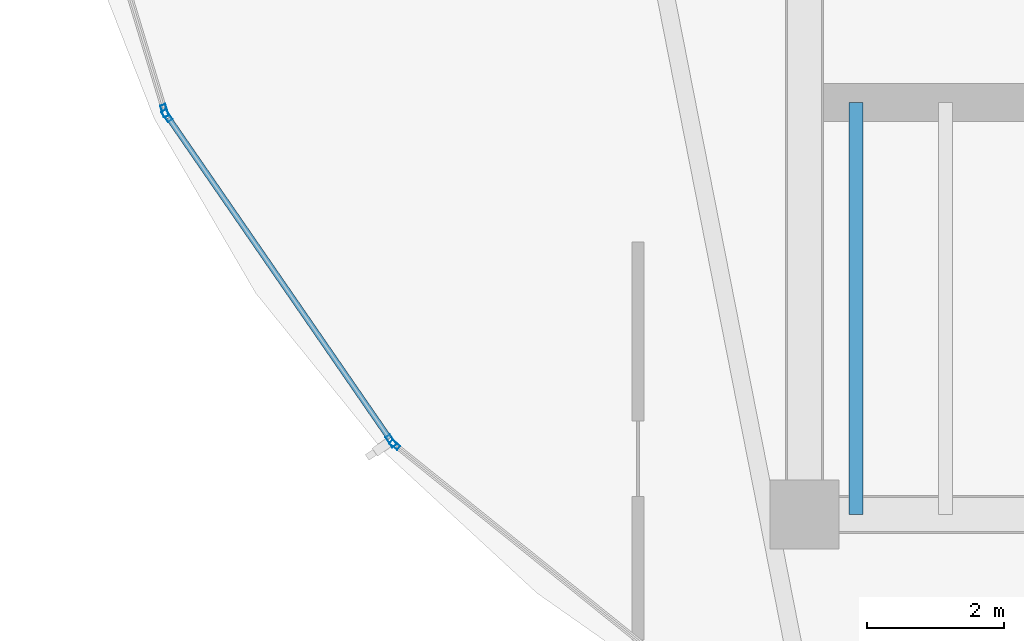
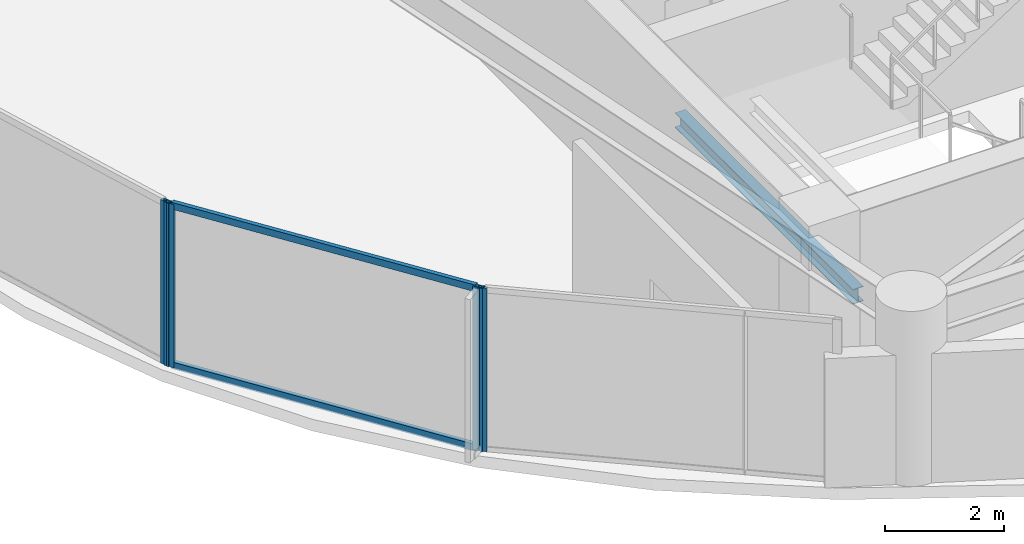
# One storey, part 3 of 34: 6 members, 1 beam, 3 elements without a shape of their own.
"""IFC4 building model written with IfcOpenShell, lengths in metres."""

import ifcopenshell
import ifcopenshell.guid

model = None  # the IFC model being written
_history = None  # IfcOwnerHistory: only IFC2X3 demands one
_inside = {}  # id of a spatial element -> (the spatial element, [elements in it])
_under = {}  # id of a project, library or spatial element -> (it, [spatial elements below it])
_declared = {}  # id of a project -> (the project, [libraries it declares])
_typed = {}  # id of a type object -> (the type object, [elements of that type])
_made_of = {}  # id of a material, layer set ... -> (it, [elements and type objects made of it])


def new_model(schema):
    """Start an empty IFC model of exactly this schema.

    Asked for "IFC4X3", IfcOpenShell would pick the latest addendum, in which some entities
    have other attributes; the version numbers below select the first issue.
    IFC2X3 requires an IfcOwnerHistory on every rooted entity: one is made here for all.
    """
    global model, _history
    if schema == "IFC4X3":
        model = ifcopenshell.file(schema_version=(4, 3, 0, 0))
    else:
        model = ifcopenshell.file(schema=schema)
    _inside.clear()
    _under.clear()
    _declared.clear()
    _typed.clear()
    _made_of.clear()
    _history = None
    if model.schema == "IFC2X3":
        org = make("IfcOrganization", Name="unknown")
        user = make(
            "IfcPersonAndOrganization",
            ThePerson=make("IfcPerson", FamilyName="unknown"),
            TheOrganization=org,
        )
        app = make(
            "IfcApplication",
            ApplicationDeveloper=org,
            Version="unknown",
            ApplicationFullName="unknown",
            ApplicationIdentifier="unknown",
        )
        _history = make(
            "IfcOwnerHistory",
            OwningUser=user,
            OwningApplication=app,
            ChangeAction="ADDED",
            CreationDate=0,
        )
    return model


def make(cls, **values):
    """One entity of the class cls with the attributes given. An attribute that is None is left unset."""
    return model.create_entity(
        cls, **{name: value for name, value in values.items() if value is not None}
    )


def rooted(cls, **values):
    """An entity with a GlobalId (a new one), such as an element, a storey or a relation."""
    return make(cls, GlobalId=ifcopenshell.guid.new(), OwnerHistory=_history, **values)


def si_unit(unit_type, name, prefix=None):
    """IfcSIUnit, for example si_unit("LENGTHUNIT", "METRE", prefix="MILLI")."""
    return make("IfcSIUnit", UnitType=unit_type, Prefix=prefix, Name=name)


def assignment(units):
    """IfcUnitAssignment: the units of a project."""
    return None if units is None else make("IfcUnitAssignment", Units=units)


def point(xyz):
    """IfcCartesianPoint."""
    return None if xyz is None else make("IfcCartesianPoint", Coordinates=xyz)


def direction(xyz):
    """IfcDirection."""
    return None if xyz is None else make("IfcDirection", DirectionRatios=xyz)


def frame(location, z_axis=None, x_axis=None):
    """IfcAxis2Placement3D, a coordinate frame: its origin and axes. An axis left out is left unset."""
    return make(
        "IfcAxis2Placement3D",
        Location=point(location),
        Axis=direction(z_axis),
        RefDirection=direction(x_axis),
    )


def frame_2d(location, x_axis=None):
    """IfcAxis2Placement2D, a coordinate frame in the plane: its origin and x axis."""
    return make(
        "IfcAxis2Placement2D", Location=point(location), RefDirection=direction(x_axis)
    )


def origin():
    """The frame at (0, 0, 0) with its axes left unset."""
    return frame((0.0, 0.0, 0.0))


def origin_2d():
    """The frame at (0, 0) in the plane with its x axis left unset."""
    return frame_2d((0.0, 0.0))


def place(relative_to, where):
    """IfcLocalPlacement: puts the frame where relative to a parent placement (None: the world)."""
    return make(
        "IfcLocalPlacement", PlacementRelTo=relative_to, RelativePlacement=where
    )


def context(
    kind, dimensions, precision=None, world=None, true_north=None, identifier=None
):
    """IfcGeometricRepresentationContext, for example the 3D "Model" context."""
    return make(
        "IfcGeometricRepresentationContext",
        ContextIdentifier=identifier,
        ContextType=kind,
        CoordinateSpaceDimension=dimensions,
        Precision=precision,
        WorldCoordinateSystem=world,
        TrueNorth=true_north,
    )


def subcontext(parent, identifier, kind, view, scale=None):
    """IfcGeometricRepresentationSubContext, for example "Body" below "Model"."""
    return make(
        "IfcGeometricRepresentationSubContext",
        ContextIdentifier=identifier,
        ContextType=kind,
        ParentContext=parent,
        TargetScale=scale,
        TargetView=view,
    )


def project(units=None, contexts=None):
    """IfcProject with its units and contexts."""
    return rooted(
        "IfcProject",
        Name="project",
        RepresentationContexts=contexts,
        UnitsInContext=assignment(units),
    )


def spatial(cls, under=None, at=None, **own):
    """A site, building, storey or space (cls), placed at a placement, below another one or the project."""
    s = rooted(cls, ObjectPlacement=at, **own)
    if under is not None:
        _under.setdefault(under.id(), (under, []))[1].append(s)
    return s


def profile(cls, at=None, kind="AREA", **sizes):
    """A parametric profile (cls). Its sizes go by their IFC names, for example OverallWidth=200.0."""
    return make(cls, ProfileType=kind, Position=at, **sizes)


def hollow_rectangle(**sizes):
    """IfcRectangleHollowProfileDef."""
    return profile("IfcRectangleHollowProfileDef", **sizes)


def i_section(**sizes):
    """IfcIShapeProfileDef."""
    return profile("IfcIShapeProfileDef", **sizes)


def extrude(swept, where, along, depth):
    """IfcExtrudedAreaSolid: the profile swept, set in the frame where, extruded along a direction by depth."""
    return make(
        "IfcExtrudedAreaSolid",
        SweptArea=swept,
        Position=where,
        ExtrudedDirection=direction(along),
        Depth=depth,
    )


def shape(context_of_items, identifier, shape_type, items):
    """IfcShapeRepresentation: the items that make up one representation, for example the "Body"."""
    return make(
        "IfcShapeRepresentation",
        ContextOfItems=context_of_items,
        RepresentationIdentifier=identifier,
        RepresentationType=shape_type,
        Items=items,
    )


def material(Name=None, Category=None):
    """IfcMaterial."""
    return make("IfcMaterial", Name=Name, Category=Category)


def layer(
    of_material, thickness, ventilated=None, Name=None, Category=None, Priority=None
):
    """IfcMaterialLayer: one layer of a wall or slab, of a material (None: an air gap)."""
    return make(
        "IfcMaterialLayer",
        Material=of_material,
        LayerThickness=thickness,
        IsVentilated=ventilated,
        Name=Name,
        Category=Category,
        Priority=Priority,
    )


def layer_set(layers, Name=None):
    """IfcMaterialLayerSet."""
    return make("IfcMaterialLayerSet", MaterialLayers=layers, LayerSetName=Name)


def material_profile(
    of_material, cross_section, Name=None, Category=None, Priority=None
):
    """IfcMaterialProfile: a cross section and its material."""
    return make(
        "IfcMaterialProfile",
        Name=Name,
        Material=of_material,
        Profile=cross_section,
        Priority=Priority,
        Category=Category,
    )


def profile_set(profiles, Name=None, composite=None):
    """IfcMaterialProfileSet."""
    return make(
        "IfcMaterialProfileSet",
        Name=Name,
        MaterialProfiles=profiles,
        CompositeProfile=composite,
    )


def made_of(thing, what):
    """Note that an element or type object is made of a material, layer set ...; save() writes the relation."""
    if what is not None:
        _made_of.setdefault(what.id(), (what, []))[1].append(thing)
    return thing


def type_object(cls, material=None, **own):
    """A type object (cls), such as IfcWallType, which elements share."""
    return made_of(rooted(cls, **own), material)


def element(
    cls,
    number,
    at=None,
    inside=None,
    cuts=None,
    type_object=None,
    material=None,
    context=None,
    identifier="Body",
    shape_type=None,
    held_by="IfcProductDefinitionShape",
    body=None,
    shapes=None,
    **own,
):
    """One element of the class cls, such as IfcWall. Its Tag is "e" and its number.

    at: its placement. inside: the storey or other place that contains it. cuts: it is an
    opening in that element (IfcRelVoidsElement). A single representation is given by context,
    identifier, shape_type and body (its items); several are given by shapes. held_by: the class
    of the entity that holds the representations. save() writes the other relations.
    """
    e = rooted(cls, Tag="e%d" % number, ObjectPlacement=at, **own)
    if body is not None:
        shapes = [shape(context, identifier, shape_type, body)]
    if shapes is not None:
        e.Representation = make(held_by, Representations=shapes)
    if inside is not None:
        _inside.setdefault(inside.id(), (inside, []))[1].append(e)
    if cuts is not None:
        rooted(
            "IfcRelVoidsElement", RelatingBuildingElement=cuts, RelatedOpeningElement=e
        )
    if type_object is not None:
        _typed.setdefault(type_object.id(), (type_object, []))[1].append(e)
    return made_of(e, material)


def aggregate(whole, parts):
    """IfcRelAggregates: a whole, such as a stair, and the parts it consists of."""
    return rooted("IfcRelAggregates", RelatingObject=whole, RelatedObjects=parts)


def save(model, path):
    """Write the relations noted so far, then the file.

    IfcRelAggregates (storeys below a building ...), IfcRelContainedInSpatialStructure (elements
    in a storey), IfcRelDefinesByType, IfcRelAssociatesMaterial and IfcRelDeclares: one each for
    every whole, place, type object, material and project.
    """
    for whole, parts in _under.values():
        aggregate(whole, parts)
    for where, things in _inside.values():
        rooted(
            "IfcRelContainedInSpatialStructure",
            RelatedElements=things,
            RelatingStructure=where,
        )
    for kind, things in _typed.values():
        rooted("IfcRelDefinesByType", RelatedObjects=things, RelatingType=kind)
    for what, things in _made_of.values():
        rooted("IfcRelAssociatesMaterial", RelatedObjects=things, RelatingMaterial=what)
    for by, libraries in _declared.values():
        rooted("IfcRelDeclares", RelatingContext=by, RelatedDefinitions=libraries)
    model.write(path)


model = new_model("IFC4")

# Units and contexts
model_context = context("Model", 3, precision=1e-05, world=origin(), true_north=direction((0.0, 1.0)))
body_context = subcontext(model_context, "Body", "Model", "MODEL_VIEW")
ifc_project = project(units=[si_unit("LENGTHUNIT", "METRE"), si_unit("AREAUNIT", "SQUARE_METRE"), si_unit("VOLUMEUNIT", "CUBIC_METRE"), si_unit("PLANEANGLEUNIT", "RADIAN"), si_unit("MASSUNIT", "GRAM", prefix="KILO")], contexts=[model_context])

# Site, building, storey
site_placement = place(None, origin())
site = spatial("IfcSite", under=ifc_project, at=site_placement, CompositionType="ELEMENT")
building_placement = place(site_placement, origin())
building = spatial("IfcBuilding", under=site, at=building_placement, Name="Kazevale Care Tower and Concert Hall", CompositionType="ELEMENT")
storey_placement = place(building_placement, frame((0.0, 0.0, 160.199951171875)))
storey = spatial("IfcBuildingStorey", under=building, at=storey_placement, Name="L42", CompositionType="ELEMENT", Elevation=160.199951171875)

# Curtain wall, members
ifc_material_1 = material(Name="Aluminium 6063-T6 and Low-E Glass", Category="aluminium")
ifc_layer_1 = layer(ifc_material_1, 0.179931640625)
ifc_layer_set_1 = layer_set([ifc_layer_1], Name="Aluminium 6063-T6 and Low-E Glass")
curtain_wall_type_1 = type_object("IfcCurtainWallType", Name="Waist & Upper Residential Curtain Wall CW-4", PredefinedType="NOTDEFINED", material=ifc_layer_set_1)
curtain_wall_1_placement = place(storey_placement, origin())
curtain_wall_1 = element("IfcCurtainWall", 1, at=curtain_wall_1_placement, inside=storey, type_object=curtain_wall_type_1, Name="cw:L42:f11", PredefinedType="NOTDEFINED")
ifc_material_2 = material(Name="Aluminium 6063-T6", Category="aluminium")
ifc_material_profile_1 = material_profile(ifc_material_2, hollow_rectangle(XDim=0.080078125, YDim=0.179931640625, WallThickness=0.0048828125, at=origin_2d()), Name="ALU80x180x5")
ifc_profile_set_1 = profile_set([ifc_material_profile_1], Name="Aluminium 6063-T6")
member_type_1 = type_object("IfcMemberType", Name="CW-4 Mullion ALU80x180x5", PredefinedType="MULLION", material=ifc_profile_set_1)
member_1_placement = place(storey_placement, frame((15.981201171875, 24.6708984375, 0.0), z_axis=(0.0, 0.0, 1.0), x_axis=(-0.823326035997, -0.567568708131, 0.0)))
member_1 = element("IfcMember", 2, at=member_1_placement, type_object=member_type_1, Name="CW-4 mullion 1", PredefinedType="MULLION", context=body_context, shape_type="SweptSolid", body=[
    extrude(hollow_rectangle(XDim=0.080078125, YDim=0.179931640625, WallThickness=0.0048828125, at=origin_2d()), origin(), (0.0, 0.0, 1.0), 3.360107421875),
])
member_2_placement = place(storey_placement, frame((12.7158203125, 29.407958984375, 0.0), z_axis=(0.0, 0.0, 1.0), x_axis=(-0.823326035997, -0.567568708131, 0.0)))
member_2 = element("IfcMember", 3, at=member_2_placement, type_object=member_type_1, Name="CW-4 mullion 2", PredefinedType="MULLION", context=body_context, shape_type="SweptSolid", body=[
    extrude(hollow_rectangle(XDim=0.080078125, YDim=0.179931640625, WallThickness=0.0048828125, at=origin_2d()), origin(), (0.0, 0.0, 1.0), 3.360107421875),
])

# Curtain wall, member
curtain_wall_2_placement = place(storey_placement, origin())
curtain_wall_2 = element("IfcCurtainWall", 4, at=curtain_wall_2_placement, inside=storey, type_object=curtain_wall_type_1, Name="cw:L42:f12", PredefinedType="NOTDEFINED")
member_3_placement = place(storey_placement, frame((12.681396484375, 29.479248046875, 0.0), z_axis=(0.0, 0.0, 1.0), x_axis=(-0.956729897234, -0.290977496961, 0.0)))
member_3 = element("IfcMember", 5, at=member_3_placement, type_object=member_type_1, Name="CW-4 mullion 1", PredefinedType="MULLION", context=body_context, shape_type="SweptSolid", body=[
    extrude(hollow_rectangle(XDim=0.080078125, YDim=0.179931640625, WallThickness=0.0048828125, at=origin_2d()), origin(), (0.0, 0.0, 1.0), 3.360107421875),
])
aggregate(curtain_wall_2, [member_3])

# Member
ifc_material_profile_2 = material_profile(ifc_material_2, hollow_rectangle(XDim=0.080078125, YDim=0.139892578125, WallThickness=0.00390625, at=origin_2d()), Name="ALU80x140x4")
ifc_profile_set_2 = profile_set([ifc_material_profile_2], Name="Aluminium 6063-T6")
member_type_2 = type_object("IfcMemberType", Name="CW-4 Transom ALU80x140x4", PredefinedType="USERDEFINED", material=ifc_profile_set_2)
member_4_placement = place(storey_placement, frame((15.95849609375, 24.703857421875, 0.0400390625), z_axis=(-0.567532833811, 0.823350765194, 0.0), x_axis=(-0.823350765194, -0.567532833811, 0.0)))
member_4 = element("IfcMember", 6, at=member_4_placement, type_object=member_type_2, Name="CW-4 transom 1.1", ObjectType="TRANSOM", PredefinedType="USERDEFINED", context=body_context, shape_type="SweptSolid", body=[
    extrude(hollow_rectangle(XDim=0.080078125, YDim=0.139892578125, WallThickness=0.00390625, at=origin_2d()), origin(), (0.0, 0.0, 1.0), 5.673583984375),
])

member_5_placement = place(storey_placement, frame((15.95849609375, 24.703857421875, 3.320068359375), z_axis=(-0.567532833811, 0.823350765194, 0.0), x_axis=(-0.823350765194, -0.567532833811, 0.0)))
member_5 = element("IfcMember", 7, at=member_5_placement, type_object=member_type_2, Name="CW-4 transom 1.2", ObjectType="TRANSOM", PredefinedType="USERDEFINED", context=body_context, shape_type="SweptSolid", body=[
    extrude(hollow_rectangle(XDim=0.080078125, YDim=0.139892578125, WallThickness=0.00390625, at=origin_2d()), origin(), (0.0, 0.0, 1.0), 5.673583984375),
])

aggregate(curtain_wall_1, [member_1, member_2, member_4, member_5])

# Curtain wall, member
ifc_layer_2 = layer(ifc_material_1, 0.179931640625)
ifc_layer_set_2 = layer_set([ifc_layer_2], Name="Aluminium 6063-T6 and Low-E Glass")
curtain_wall_type_2 = type_object("IfcCurtainWallType", Name="Sheltered Concave Balcony Curtain Wall CW-5", PredefinedType="NOTDEFINED", material=ifc_layer_set_2)
curtain_wall_3_placement = place(storey_placement, origin())
curtain_wall_3 = element("IfcCurtainWall", 8, at=curtain_wall_3_placement, inside=storey, type_object=curtain_wall_type_2, Name="cw:L42:f10", PredefinedType="NOTDEFINED")
ifc_material_profile_3 = material_profile(ifc_material_2, hollow_rectangle(XDim=0.074951171875, YDim=0.14990234375, WallThickness=0.00390625, at=origin_2d()), Name="ALU75x150x4")
ifc_profile_set_3 = profile_set([ifc_material_profile_3], Name="Aluminium 6063-T6")
member_type_3 = type_object("IfcMemberType", Name="CW-5 Mullion ALU75x150x4", PredefinedType="MULLION", material=ifc_profile_set_3)
member_6_placement = place(storey_placement, frame((16.033203125, 24.614501953125, 0.0), z_axis=(0.0, 0.0, 1.0), x_axis=(-0.626905357502, -0.779095419531, 0.0)))
member_6 = element("IfcMember", 9, at=member_6_placement, type_object=member_type_3, Name="CW-5 mullion 2", PredefinedType="MULLION", context=body_context, shape_type="SweptSolid", body=[
    extrude(hollow_rectangle(XDim=0.074951171875, YDim=0.14990234375, WallThickness=0.00390625, at=origin_2d()), origin(), (0.0, 0.0, 1.0), 3.360107421875),
])
aggregate(curtain_wall_3, [member_6])

# Beam
ifc_material_3 = material(Name="Steel ASTM A572 Gr 50", Category="steel")
ifc_material_profile_4 = material_profile(ifc_material_3, i_section(OverallWidth=0.202880859375, OverallDepth=0.302978515625, WebThickness=0.007568359375, FlangeThickness=0.01318359375, at=origin_2d()), Name="W310x60")
ifc_profile_set_4 = profile_set([ifc_material_profile_4], Name="Steel ASTM A572 Gr 50")
beam_type = type_object("IfcBeamType", Name="Stair & Balcony Trimmer W310x60", PredefinedType="BEAM", material=ifc_profile_set_4)
beam_placement = place(storey_placement, frame((22.75, 23.60009765625, 1.448486328125), z_axis=(0.0, 1.0, 0.0), x_axis=(-1.0, 0.0, 0.0)))
element("IfcBeam", 10, at=beam_placement, inside=storey, type_object=beam_type, Name="beam:L42:sttrim:ST1", PredefinedType="BEAM", context=body_context, shape_type="SweptSolid", body=[
    extrude(i_section(OverallWidth=0.202880859375, OverallDepth=0.302978515625, WebThickness=0.007568359375, FlangeThickness=0.01318359375, at=origin_2d()), origin(), (0.0, 0.0, 1.0), 6.0),
])

save(model, "model.ifc")
